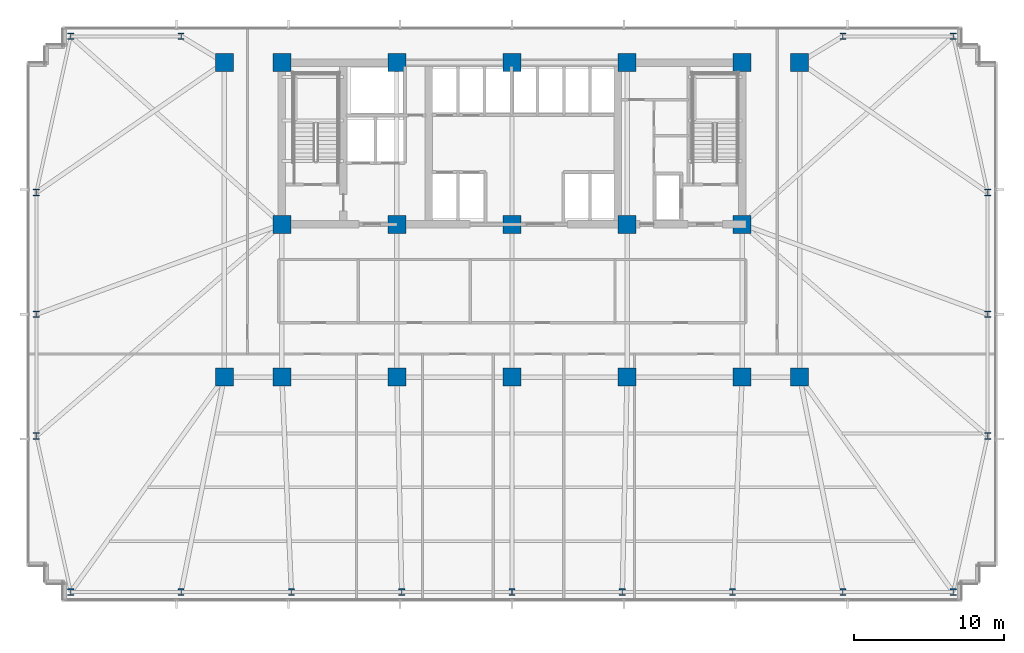
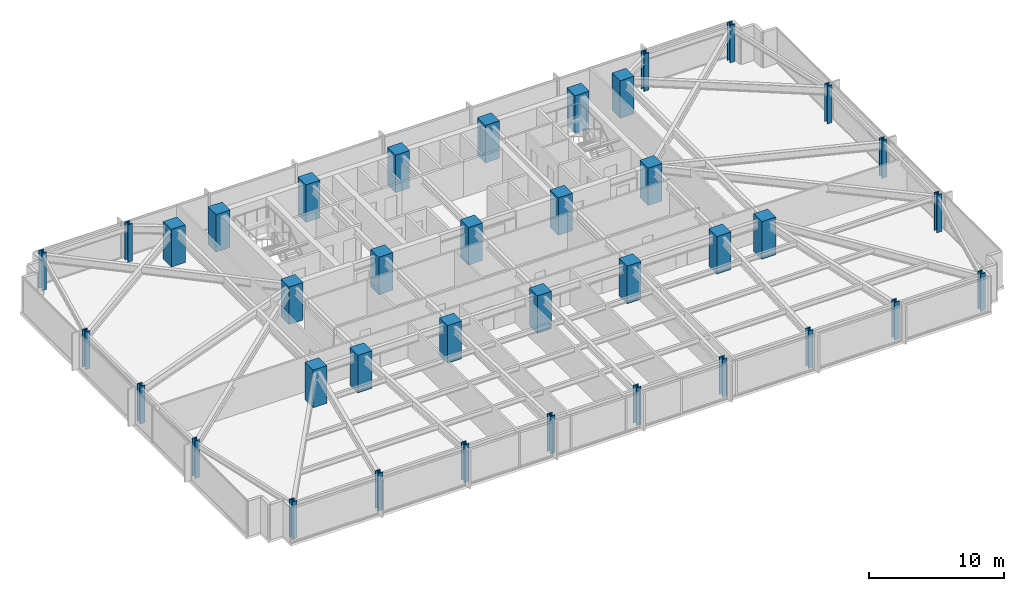
# One storey, part 1 of 32: 38 columns.
"""IFC4 building model written with IfcOpenShell, lengths in metres."""

from ifc_helpers import new_model, si_unit, direction, frame, origin, origin_2d, place, context, subcontext, project, spatial, rectangle, i_section, extrude, material, material_profile, profile_set, type_object, element, save


model = new_model("IFC4")

# Units and contexts
model_context = context("Model", 3, precision=1e-05, world=origin(), true_north=direction((0.0, 1.0)))
body_context = subcontext(model_context, "Body", "Model", "MODEL_VIEW")
ifc_project = project(units=[si_unit("LENGTHUNIT", "METRE"), si_unit("AREAUNIT", "SQUARE_METRE"), si_unit("VOLUMEUNIT", "CUBIC_METRE"), si_unit("PLANEANGLEUNIT", "RADIAN"), si_unit("MASSUNIT", "GRAM", prefix="KILO")], contexts=[model_context])

# Site, building, storey
site_placement = place(None, origin())
site = spatial("IfcSite", under=ifc_project, at=site_placement, CompositionType="ELEMENT")
building_placement = place(site_placement, origin())
building = spatial("IfcBuilding", under=site, at=building_placement, Name="Yelkora Congress Tower", CompositionType="ELEMENT")
storey_placement = place(building_placement, frame((0.0, 0.0, 57.60009765625)))
storey = spatial("IfcBuildingStorey", under=building, at=storey_placement, Name="L14", CompositionType="ELEMENT", Elevation=57.60009765625)

# Columns
ifc_material_1 = material(Name="Steel S460M", Category="steel")
ifc_material_profile_1 = material_profile(ifc_material_1, i_section(OverallWidth=0.41796875, OverallDepth=0.455078125, WebThickness=0.0419921875, FlangeThickness=0.068115234375, FilletRadius=0.014892578125, at=origin_2d()), Name="HD 400x551")
ifc_profile_set_1 = profile_set([ifc_material_profile_1], Name="Steel S460M")
column_type_1 = type_object("IfcColumnType", Name="COL-HD-551-EXT", PredefinedType="COLUMN", material=ifc_profile_set_1)
for number, where, z_axis, x_axis, name in (
    (1, (8.949951171875, 10.85009765625, 0.0), (0.0, 0.0, 1.0), (1.0, 0.0, 0.0), "L14 Perimeter Column S01"),
    (2, (16.3125, 10.85009765625, 0.0), (0.0, 0.0, 1.0), (1.0, 0.0, 0.0), "L14 Perimeter Column S02"),
    (3, (23.675048828125, 10.85009765625, 0.0), (0.0, 0.0, 1.0), (1.0, 0.0, 0.0), "L14 Perimeter Column S03"),
    (4, (31.03759765625, 10.85009765625, 0.0), (0.0, 0.0, 1.0), (1.0, 0.0, 0.0), "L14 Perimeter Column S04"),
    (5, (38.39990234375, 10.85009765625, 0.0), (0.0, 0.0, 1.0), (1.0, 0.0, 0.0), "L14 Perimeter Column S05"),
    (6, (45.762451171875, 10.85009765625, 0.0), (0.0, 0.0, 1.0), (1.0, 0.0, 0.0), "L14 Perimeter Column S06"),
    (7, (53.125, 10.85009765625, 0.0), (0.0, 0.0, 1.0), (1.0, 0.0, 0.0), "L14 Perimeter Column S07"),
    (8, (60.487548828125, 10.85009765625, 0.0), (0.0, 0.0, 1.0), (1.0, 0.0, 0.0), "L14 Perimeter Column S08"),
    (9, (67.85009765625, 10.85009765625, 0.0), (0.0, 0.0, 1.0), (1.0, 0.0, 0.0), "L14 Perimeter Column S09"),
    (10, (8.949951171875, 47.949951171875, 0.0), (0.0, 0.0, 1.0), (1.0, 0.0, 0.0), "L14 Perimeter Column N01"),
    (11, (16.3125, 47.949951171875, 0.0), (0.0, 0.0, 1.0), (1.0, 0.0, 0.0), "L14 Perimeter Column N02"),
    (12, (60.487548828125, 47.949951171875, 0.0), (0.0, 0.0, 1.0), (1.0, 0.0, 0.0), "L14 Perimeter Column N08"),
    (13, (67.85009765625, 47.949951171875, 0.0), (0.0, 0.0, 1.0), (1.0, 0.0, 0.0), "L14 Perimeter Column N09"),
    (14, (6.64990234375, 21.27490234375, 0.0), (0.0, 0.0, 1.0), (1.0, 0.0, 0.0), "L14 Perimeter Column W01"),
    (15, (70.14990234375, 21.27490234375, 0.0), (0.0, 0.0, 1.0), (1.0, 0.0, 0.0), "L14 Perimeter Column E01"),
    (16, (6.64990234375, 29.39990234375, 0.0), (0.0, 0.0, 1.0), (1.0, 0.0, 0.0), "L14 Perimeter Column W02"),
    (17, (70.14990234375, 29.39990234375, 0.0), (0.0, 0.0, 1.0), (1.0, 0.0, 0.0), "L14 Perimeter Column E02"),
    (18, (6.64990234375, 37.52490234375, 0.0), (0.0, 0.0, 1.0), (1.0, 0.0, 0.0), "L14 Perimeter Column W03"),
    (19, (70.14990234375, 37.52490234375, 0.0), (0.0, 0.0, 1.0), (1.0, 0.0, 0.0), "L14 Perimeter Column E03"),
):
    element("IfcColumn", number, at=place(storey_placement, frame(where, z_axis=z_axis, x_axis=x_axis)), inside=storey, type_object=column_type_1, Name=name, PredefinedType="COLUMN", context=body_context, shape_type="SweptSolid", body=[
        extrude(i_section(OverallWidth=0.41796875, OverallDepth=0.455078125, WebThickness=0.0419921875, FlangeThickness=0.068115234375, FilletRadius=0.014892578125, at=origin_2d()), origin(), (0.0, 0.0, 1.0), 3.39990234375),
    ])
ifc_material_2 = material(Name="Concrete C60/75", Category="concrete")
ifc_material_profile_2 = material_profile(ifc_material_2, rectangle(XDim=1.199951171875, YDim=1.199951171875, at=origin_2d()), Name="RC 1200x1200")
ifc_profile_set_2 = profile_set([ifc_material_profile_2], Name="Concrete C60/75")
column_type_2 = type_object("IfcColumnType", Name="COL-RC-1200", PredefinedType="COLUMN", material=ifc_profile_set_2)
for number, where, z_axis, x_axis, name in (
    (20, (23.0400390625, 35.39990234375, 0.0), (0.0, 0.0, 1.0), (1.0, 0.0, 0.0), "L14 Mega Column MC-S1"),
    (21, (23.0400390625, 46.199951171875, 0.0), (0.0, 0.0, 1.0), (1.0, 0.0, 0.0), "L14 Mega Column MC-N1"),
    (22, (23.0400390625, 25.199951171875, 0.0), (0.0, 0.0, 1.0), (1.0, 0.0, 0.0), "L14 Mega Column MC-D1"),
    (23, (30.719970703125, 35.39990234375, 0.0), (0.0, 0.0, 1.0), (1.0, 0.0, 0.0), "L14 Mega Column MC-S2"),
    (24, (30.719970703125, 46.199951171875, 0.0), (0.0, 0.0, 1.0), (1.0, 0.0, 0.0), "L14 Mega Column MC-N2"),
    (25, (30.719970703125, 25.199951171875, 0.0), (0.0, 0.0, 1.0), (1.0, 0.0, 0.0), "L14 Mega Column MC-D2"),
    (26, (38.39990234375, 35.39990234375, 0.0), (0.0, 0.0, 1.0), (1.0, 0.0, 0.0), "L14 Mega Column MC-S3"),
    (27, (38.39990234375, 46.199951171875, 0.0), (0.0, 0.0, 1.0), (1.0, 0.0, 0.0), "L14 Mega Column MC-N3"),
    (28, (38.39990234375, 25.199951171875, 0.0), (0.0, 0.0, 1.0), (1.0, 0.0, 0.0), "L14 Mega Column MC-D3"),
    (29, (46.080078125, 35.39990234375, 0.0), (0.0, 0.0, 1.0), (1.0, 0.0, 0.0), "L14 Mega Column MC-S4"),
    (30, (46.080078125, 46.199951171875, 0.0), (0.0, 0.0, 1.0), (1.0, 0.0, 0.0), "L14 Mega Column MC-N4"),
    (31, (46.080078125, 25.199951171875, 0.0), (0.0, 0.0, 1.0), (1.0, 0.0, 0.0), "L14 Mega Column MC-D4"),
    (32, (53.760009765625, 35.39990234375, 0.0), (0.0, 0.0, 1.0), (1.0, 0.0, 0.0), "L14 Mega Column MC-S5"),
    (33, (53.760009765625, 46.199951171875, 0.0), (0.0, 0.0, 1.0), (1.0, 0.0, 0.0), "L14 Mega Column MC-N5"),
    (34, (53.760009765625, 25.199951171875, 0.0), (0.0, 0.0, 1.0), (1.0, 0.0, 0.0), "L14 Mega Column MC-D5"),
    (35, (19.199951171875, 25.199951171875, 0.0), (0.0, 0.0, 1.0), (1.0, 0.0, 0.0), "L14 Mega Column MC-F1"),
    (36, (57.60009765625, 25.199951171875, 0.0), (0.0, 0.0, 1.0), (1.0, 0.0, 0.0), "L14 Mega Column MC-F2"),
    (37, (19.199951171875, 46.199951171875, 0.0), (0.0, 0.0, 1.0), (1.0, 0.0, 0.0), "L14 Mega Column MC-F3"),
    (38, (57.60009765625, 46.199951171875, 0.0), (0.0, 0.0, 1.0), (1.0, 0.0, 0.0), "L14 Mega Column MC-F4"),
):
    element("IfcColumn", number, at=place(storey_placement, frame(where, z_axis=z_axis, x_axis=x_axis)), inside=storey, type_object=column_type_2, Name=name, PredefinedType="COLUMN", context=body_context, shape_type="SweptSolid", body=[
        extrude(rectangle(XDim=1.199951171875, YDim=1.199951171875, at=origin_2d()), origin(), (0.0, 0.0, 1.0), 3.39990234375),
    ])

save(model, "model.ifc")
